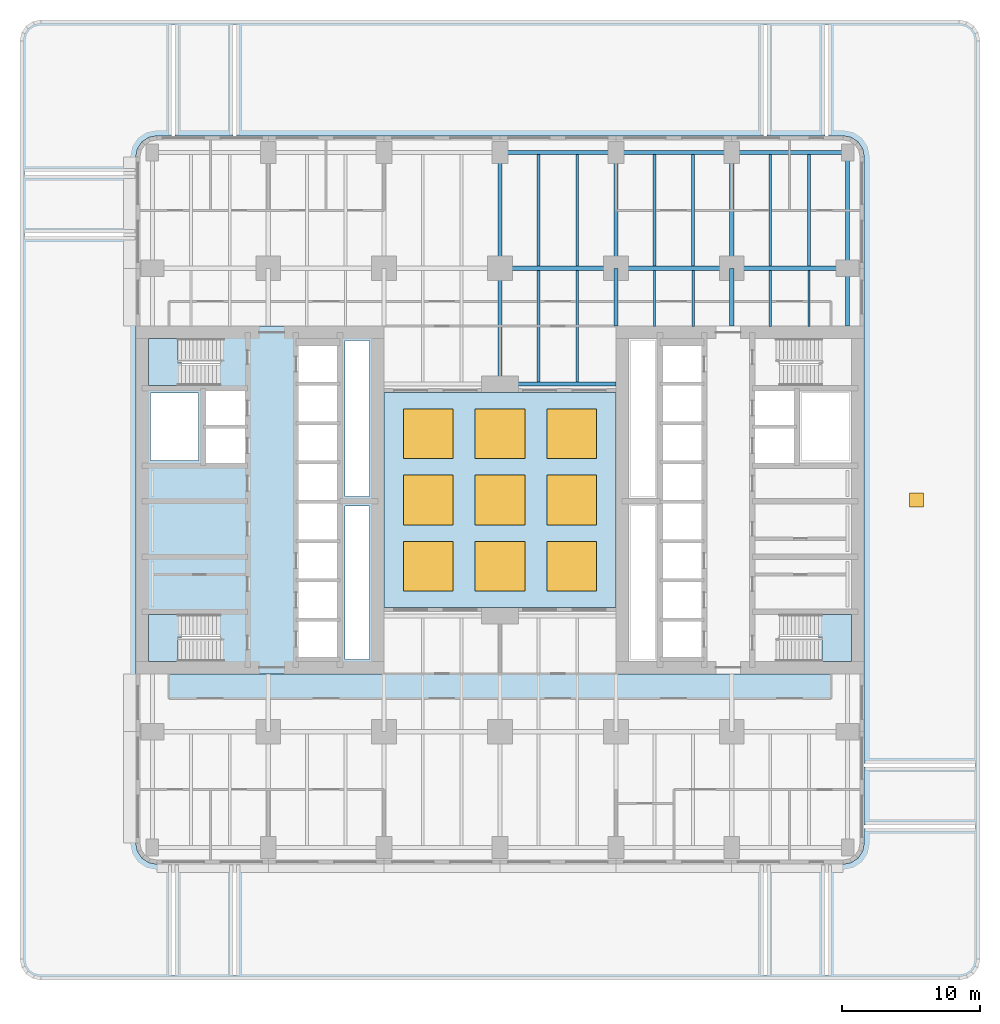
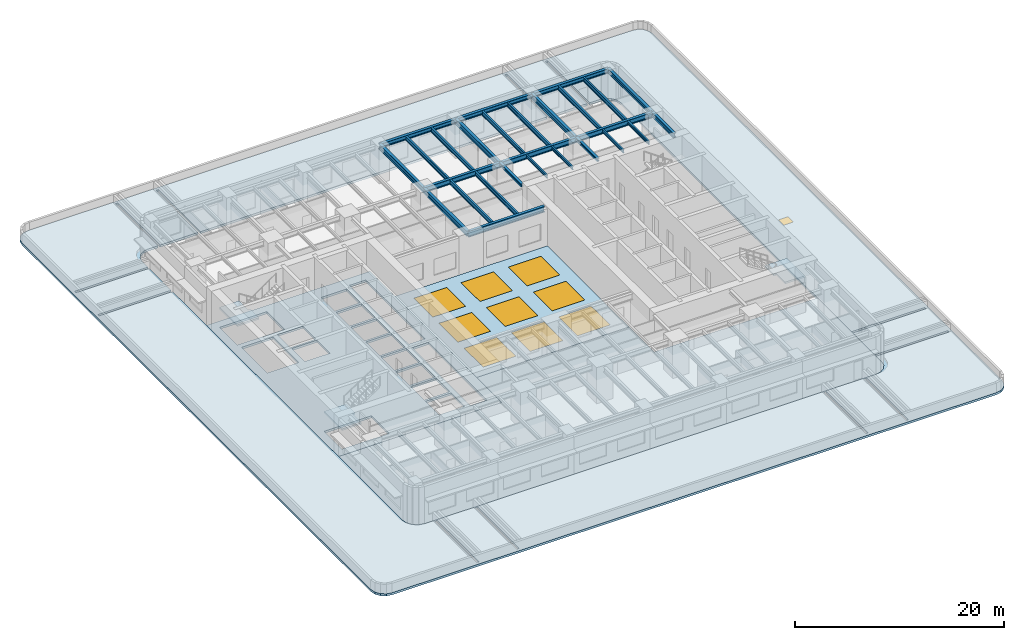
"""IFC4 building model written with IfcOpenShell, lengths in metres."""

from ifc_helpers import new_model, si_unit, direction, frame, origin, origin_2d, place, context, subcontext, project, spatial, polyline, rectangle, i_section, outline, extrude, material, layer, layer_set, material_profile, profile_set, type_object, element, fill, aggregate, save


model = new_model("IFC4")

# Units and contexts
model_context = context("Model", 3, precision=1e-05, world=origin(), true_north=direction((0.0, 1.0)))
body_context = subcontext(model_context, "Body", "Model", "MODEL_VIEW")
ifc_project = project(units=[si_unit("LENGTHUNIT", "METRE"), si_unit("AREAUNIT", "SQUARE_METRE"), si_unit("VOLUMEUNIT", "CUBIC_METRE"), si_unit("PLANEANGLEUNIT", "RADIAN"), si_unit("MASSUNIT", "GRAM", prefix="KILO")], contexts=[model_context])

# Site, building, storey
site_placement = place(None, origin())
site = spatial("IfcSite", under=ifc_project, at=site_placement, CompositionType="ELEMENT")
building_placement = place(site_placement, origin())
building = spatial("IfcBuilding", under=site, at=building_placement, Name="Claustro Exchange Tower", CompositionType="ELEMENT")
storey_1_placement = place(building_placement, frame((0.0, 0.0, 18.89990234375)))
storey_1 = spatial("IfcBuildingStorey", under=building, at=storey_1_placement, Name="L04", CompositionType="ELEMENT", Elevation=18.89990234375)

# Beams
ifc_material_1 = material(Name="Steel S355", Category="steel")
ifc_material_profile_1 = material_profile(ifc_material_1, i_section(OverallWidth=0.300048828125, OverallDepth=0.60009765625, WebThickness=0.015380859375, FlangeThickness=0.030029296875, FilletRadius=0.027099609375, at=origin_2d()), Name="HE 600 B")
ifc_profile_set_1 = profile_set([ifc_material_profile_1], Name="Steel S355")
beam_type_1 = type_object("IfcBeamType", Name="B1 HE 600 B floor girder", PredefinedType="BEAM", material=ifc_profile_set_1)
for number, where, z_axis, x_axis, name in (
    (1, (25.199951171875, 33.60009765625, 4.0400390625), (0.0, 1.0, 0.0), (-1.0, 0.0, 0.0), "Beam B1 L05"),
    (2, (25.199951171875, 42.0, 4.0400390625), (0.0, 1.0, 0.0), (-1.0, 0.0, 0.0), "Beam B1 L05"),
    (3, (33.60009765625, 42.0, 4.0400390625), (0.0, 1.0, 0.0), (-1.0, 0.0, 0.0), "Beam B1 L05"),
    (4, (42.0, 42.0, 4.0400390625), (0.0, 1.0, 0.0), (-1.0, 0.0, 0.0), "Beam B1 L05"),
):
    element("IfcBeam", number, at=place(storey_1_placement, frame(where, z_axis=z_axis, x_axis=x_axis)), inside=storey_1, type_object=beam_type_1, Name=name, PredefinedType="BEAM", context=body_context, shape_type="SweptSolid", body=[
        extrude(i_section(OverallWidth=0.300048828125, OverallDepth=0.60009765625, WebThickness=0.015380859375, FlangeThickness=0.030029296875, FilletRadius=0.027099609375, at=origin_2d()), origin(), (0.0, 0.0, 1.0), 8.39990234375),
    ])
beam_1_placement = place(storey_1_placement, frame((25.199951171875, 42.0, 4.0400390625), z_axis=(1.0, 0.0, 0.0), x_axis=(0.0, 1.0, 0.0)))
element("IfcBeam", 5, at=beam_1_placement, inside=storey_1, type_object=beam_type_1, Name="Beam B1 L05", PredefinedType="BEAM", context=body_context, shape_type="SweptSolid", body=[
    extrude(i_section(OverallWidth=0.300048828125, OverallDepth=0.60009765625, WebThickness=0.015380859375, FlangeThickness=0.030029296875, FilletRadius=0.027099609375, at=origin_2d()), origin(), (0.0, 0.0, 1.0), 8.400146484375),
])
for number, where, z_axis, x_axis, name in (
    (6, (33.60009765625, 42.0, 4.0400390625), (1.0, 0.0, 0.0), (0.0, 1.0, 0.0), "Beam B1 L05"),
    (7, (42.0, 42.0, 4.0400390625), (1.0, 0.0, 0.0), (0.0, 1.0, 0.0), "Beam B1 L05"),
):
    element("IfcBeam", number, at=place(storey_1_placement, frame(where, z_axis=z_axis, x_axis=x_axis)), inside=storey_1, type_object=beam_type_1, Name=name, PredefinedType="BEAM", context=body_context, shape_type="SweptSolid", body=[
        extrude(i_section(OverallWidth=0.300048828125, OverallDepth=0.60009765625, WebThickness=0.015380859375, FlangeThickness=0.030029296875, FilletRadius=0.027099609375, at=origin_2d()), origin(), (0.0, 0.0, 1.0), 8.39990234375),
    ])
ifc_material_2 = material(Name="Steel S355", Category="steel")
ifc_material_profile_2 = material_profile(ifc_material_2, i_section(OverallWidth=0.300048828125, OverallDepth=0.68994140625, WebThickness=0.014404296875, FlangeThickness=0.027099609375, FilletRadius=0.027099609375, at=origin_2d()), Name="HE 700 A")
ifc_profile_set_2 = profile_set([ifc_material_profile_2], Name="Steel S355")
beam_type_2 = type_object("IfcBeamType", Name="B13 HE 700 A light well edge girder", PredefinedType="BEAM", material=ifc_profile_set_2)
beam_2_placement = place(storey_1_placement, frame((25.199951171875, 33.60009765625, 3.9951171875), z_axis=(1.0, 0.0, 0.0), x_axis=(0.0, 1.0, 0.0)))
element("IfcBeam", 8, at=beam_2_placement, inside=storey_1, type_object=beam_type_2, Name="Beam B13 L05", PredefinedType="BEAM", context=body_context, shape_type="SweptSolid", body=[
    extrude(i_section(OverallWidth=0.300048828125, OverallDepth=0.68994140625, WebThickness=0.014404296875, FlangeThickness=0.027099609375, FilletRadius=0.027099609375, at=origin_2d()), origin(), (0.0, 0.0, 1.0), 8.400146484375),
])
ifc_material_3 = material(Name="Steel S355", Category="steel")
ifc_material_profile_3 = material_profile(ifc_material_3, i_section(OverallWidth=0.169921875, OverallDepth=0.360107421875, WebThickness=0.008056640625, FlangeThickness=0.0126953125, FilletRadius=0.01806640625, at=origin_2d()), Name="IPE 360")
ifc_profile_set_3 = profile_set([ifc_material_profile_3], Name="Steel S355")
beam_type_3 = type_object("IfcBeamType", Name="B16 IPE 360 short-span beam", PredefinedType="BEAM", material=ifc_profile_set_3)
for number, where, z_axis, x_axis, name in (
    (9, (36.39990234375, 37.7900390625, 4.16015625), (0.0, 1.0, 0.0), (-1.0, 0.0, 0.0), "Beam B16 L05"),
    (10, (39.199951171875, 37.7900390625, 4.16015625), (0.0, 1.0, 0.0), (-1.0, 0.0, 0.0), "Beam B16 L05"),
    (11, (44.800048828125, 37.7900390625, 4.16015625), (0.0, 1.0, 0.0), (-1.0, 0.0, 0.0), "Beam B16 L05"),
    (12, (47.60009765625, 37.7900390625, 4.16015625), (0.0, 1.0, 0.0), (-1.0, 0.0, 0.0), "Beam B16 L05"),
):
    element("IfcBeam", number, at=place(storey_1_placement, frame(where, z_axis=z_axis, x_axis=x_axis)), inside=storey_1, type_object=beam_type_3, Name=name, PredefinedType="BEAM", context=body_context, shape_type="SweptSolid", body=[
        extrude(i_section(OverallWidth=0.169921875, OverallDepth=0.360107421875, WebThickness=0.008056640625, FlangeThickness=0.0126953125, FilletRadius=0.01806640625, at=origin_2d()), origin(), (0.0, 0.0, 1.0), 4.06005859375),
    ])
ifc_material_4 = material(Name="Steel S355", Category="steel")
ifc_material_profile_4 = material_profile(ifc_material_4, i_section(OverallWidth=0.199951171875, OverallDepth=0.5, WebThickness=0.01025390625, FlangeThickness=0.01611328125, FilletRadius=0.02099609375, at=origin_2d()), Name="IPE 500")
ifc_profile_set_4 = profile_set([ifc_material_profile_4], Name="Steel S355")
beam_type_4 = type_object("IfcBeamType", Name="B2 IPE 500 secondary beam", PredefinedType="BEAM", material=ifc_profile_set_4)
for number, where, z_axis, x_axis, name in (
    (13, (28.0, 33.75, 4.090087890625), (0.0, 1.0, 0.0), (-1.0, 0.0, 0.0), "Beam B2 L05"),
    (14, (30.800048828125, 33.75, 4.090087890625), (0.0, 1.0, 0.0), (-1.0, 0.0, 0.0), "Beam B2 L05"),
    (15, (28.0, 42.14990234375, 4.090087890625), (0.0, 1.0, 0.0), (-1.0, 0.0, 0.0), "Beam B2 L05"),
    (16, (30.800048828125, 42.14990234375, 4.090087890625), (0.0, 1.0, 0.0), (-1.0, 0.0, 0.0), "Beam B2 L05"),
    (17, (36.39990234375, 42.14990234375, 4.090087890625), (0.0, 1.0, 0.0), (-1.0, 0.0, 0.0), "Beam B2 L05"),
    (18, (39.199951171875, 42.14990234375, 4.090087890625), (0.0, 1.0, 0.0), (-1.0, 0.0, 0.0), "Beam B2 L05"),
    (19, (44.800048828125, 42.14990234375, 4.090087890625), (0.0, 1.0, 0.0), (-1.0, 0.0, 0.0), "Beam B2 L05"),
    (20, (47.60009765625, 42.14990234375, 4.090087890625), (0.0, 1.0, 0.0), (-1.0, 0.0, 0.0), "Beam B2 L05"),
):
    element("IfcBeam", number, at=place(storey_1_placement, frame(where, z_axis=z_axis, x_axis=x_axis)), inside=storey_1, type_object=beam_type_4, Name=name, PredefinedType="BEAM", context=body_context, shape_type="SweptSolid", body=[
        extrude(i_section(OverallWidth=0.199951171875, OverallDepth=0.5, WebThickness=0.01025390625, FlangeThickness=0.01611328125, FilletRadius=0.02099609375, at=origin_2d()), origin(), (0.0, 0.0, 1.0), 8.10009765625),
    ])
ifc_material_5 = material(Name="Steel S355", Category="steel")
ifc_material_profile_5 = material_profile(ifc_material_5, i_section(OverallWidth=0.300048828125, OverallDepth=0.360107421875, WebThickness=0.012451171875, FlangeThickness=0.0224609375, FilletRadius=0.027099609375, at=origin_2d()), Name="HE 360 B")
ifc_profile_set_5 = profile_set([ifc_material_profile_5], Name="Steel S355")
beam_type_5 = type_object("IfcBeamType", Name="B29 HE 360 B column to core link beam", PredefinedType="BEAM", material=ifc_profile_set_5)
for number, where, z_axis, x_axis, name in (
    (21, (33.60009765625, 37.800048828125, 4.16015625), (0.0, 1.0, 0.0), (-1.0, 0.0, 0.0), "Beam B29 L05"),
    (22, (42.0, 37.800048828125, 4.16015625), (0.0, 1.0, 0.0), (-1.0, 0.0, 0.0), "Beam B29 L05"),
):
    element("IfcBeam", number, at=place(storey_1_placement, frame(where, z_axis=z_axis, x_axis=x_axis)), inside=storey_1, type_object=beam_type_5, Name=name, PredefinedType="BEAM", context=body_context, shape_type="SweptSolid", body=[
        extrude(i_section(OverallWidth=0.300048828125, OverallDepth=0.360107421875, WebThickness=0.012451171875, FlangeThickness=0.0224609375, FilletRadius=0.027099609375, at=origin_2d()), origin(), (0.0, 0.0, 1.0), 4.199951171875),
    ])
ifc_material_6 = material(Name="Steel S355", Category="steel")
ifc_material_profile_6 = material_profile(ifc_material_6, i_section(OverallWidth=0.300048828125, OverallDepth=0.5, WebThickness=0.014404296875, FlangeThickness=0.028076171875, FilletRadius=0.027099609375, at=origin_2d()), Name="HE 500 B")
ifc_profile_set_6 = profile_set([ifc_material_profile_6], Name="Steel S355")
beam_type_6 = type_object("IfcBeamType", Name="B3 HE 500 B spandrel edge girder", PredefinedType="SPANDREL", material=ifc_profile_set_6)
beam_3_placement = place(storey_1_placement, frame((50.39990234375, 37.800048828125, 4.090087890625), z_axis=(0.0, 1.0, 0.0), x_axis=(-1.0, 0.0, 0.0)))
element("IfcBeam", 23, at=beam_3_placement, inside=storey_1, type_object=beam_type_6, Name="Beam B3 L05", PredefinedType="SPANDREL", context=body_context, shape_type="SweptSolid", body=[
    extrude(i_section(OverallWidth=0.300048828125, OverallDepth=0.5, WebThickness=0.014404296875, FlangeThickness=0.028076171875, FilletRadius=0.027099609375, at=origin_2d()), origin(), (0.0, 0.0, 1.0), 4.199951171875),
])
beam_4_placement = place(storey_1_placement, frame((50.39990234375, 42.0, 4.090087890625), z_axis=(0.0, 1.0, 0.0), x_axis=(-1.0, 0.0, 0.0)))
element("IfcBeam", 24, at=beam_4_placement, inside=storey_1, type_object=beam_type_6, Name="Beam B3 L05", PredefinedType="SPANDREL", context=body_context, shape_type="SweptSolid", body=[
    extrude(i_section(OverallWidth=0.300048828125, OverallDepth=0.5, WebThickness=0.014404296875, FlangeThickness=0.028076171875, FilletRadius=0.027099609375, at=origin_2d()), origin(), (0.0, 0.0, 1.0), 8.39990234375),
])
beam_5_placement = place(storey_1_placement, frame((25.199951171875, 50.39990234375, 4.090087890625), z_axis=(1.0, 0.0, 0.0), x_axis=(0.0, 1.0, 0.0)))
element("IfcBeam", 25, at=beam_5_placement, inside=storey_1, type_object=beam_type_6, Name="Beam B3 L05", PredefinedType="SPANDREL", context=body_context, shape_type="SweptSolid", body=[
    extrude(i_section(OverallWidth=0.300048828125, OverallDepth=0.5, WebThickness=0.014404296875, FlangeThickness=0.028076171875, FilletRadius=0.027099609375, at=origin_2d()), origin(), (0.0, 0.0, 1.0), 8.400146484375),
])
for number, where, z_axis, x_axis, name in (
    (26, (33.60009765625, 50.39990234375, 4.090087890625), (1.0, 0.0, 0.0), (0.0, 1.0, 0.0), "Beam B3 L05"),
    (27, (42.0, 50.39990234375, 4.090087890625), (1.0, 0.0, 0.0), (0.0, 1.0, 0.0), "Beam B3 L05"),
):
    element("IfcBeam", number, at=place(storey_1_placement, frame(where, z_axis=z_axis, x_axis=x_axis)), inside=storey_1, type_object=beam_type_6, Name=name, PredefinedType="SPANDREL", context=body_context, shape_type="SweptSolid", body=[
        extrude(i_section(OverallWidth=0.300048828125, OverallDepth=0.5, WebThickness=0.014404296875, FlangeThickness=0.028076171875, FilletRadius=0.027099609375, at=origin_2d()), origin(), (0.0, 0.0, 1.0), 8.39990234375),
    ])

# Slab
ifc_material_7 = material(Name="Concrete HA-50 (C50/60)", Category="concrete")
ifc_layer_1 = layer(ifc_material_7, 0.159912109375)
ifc_layer_set_1 = layer_set([ifc_layer_1], Name="Concrete HA-50 (C50/60)")
slab_type_1 = type_object("IfcSlabType", Name="S1 160 composite floor slab", PredefinedType="FLOOR", material=ifc_layer_set_1)
slab_1_placement = place(storey_1_placement, frame((0.0, 0.0, -0.159912109375)))
element("IfcSlab", 28, at=slab_1_placement, inside=storey_1, type_object=slab_type_1, Name="Floor slab S1 S L04", PredefinedType="FLOOR", context=body_context, shape_type="SweptSolid", body=[
    extrude(outline(polyline([(-0.27392578125, -1.085693359375), (0.300048828125, -1.199951171875), (50.10009765625, -1.199951171875), (50.674072265625, -1.085693359375), (51.16064453125, -0.7607421875), (51.48583984375, -0.27392578125), (51.60009765625, 0.300048828125), (51.60009765625, 12.60009765625), (33.60009765625, 12.60009765625), (33.60009765625, 17.39990234375), (16.800048828125, 17.39990234375), (16.800048828125, 12.60009765625), (-1.199951171875, 12.60009765625), (-1.199951171875, 0.300048828125), (-1.085693359375, -0.27392578125), (-0.7607421875, -0.7607421875), (-0.27392578125, -1.085693359375)])), origin(), (0.0, 0.0, 1.0), 0.159912109375),
])

# Slab, opening
ifc_material_8 = material(Name="Concrete HA-50 (C50/60)", Category="concrete")
ifc_layer_2 = layer(ifc_material_8, 0.25)
ifc_layer_set_2 = layer_set([ifc_layer_2], Name="Concrete HA-50 (C50/60)")
slab_type_2 = type_object("IfcSlabType", Name="S5 250 roof slab", PredefinedType="ROOF", material=ifc_layer_set_2)
slab_2_placement = place(storey_1_placement, frame((0.0, 0.0, -0.25)))
slab_2 = element("IfcSlab", 29, at=slab_2_placement, inside=storey_1, type_object=slab_type_2, Name="Roof slab S5 W over L03", PredefinedType="ROOF", context=body_context, shape_type="SweptSolid", body=[
    extrude(outline(polyline([(-8.674072265625, -9.48583984375), (-8.10009765625, -9.60009765625), (58.5, -9.60009765625), (59.073974609375, -9.48583984375), (59.560791015625, -9.16064453125), (59.8857421875, -8.674072265625), (60.0, -8.10009765625), (60.0, 58.5), (59.8857421875, 59.073974609375), (59.560791015625, 59.560791015625), (59.073974609375, 59.8857421875), (58.5, 60.0), (-8.10009765625, 60.0), (-8.674072265625, 59.8857421875), (-9.16064453125, 59.560791015625), (-9.48583984375, 59.073974609375), (-9.60009765625, 58.5), (-9.60009765625, -8.10009765625), (-9.48583984375, -8.674072265625), (-9.16064453125, -9.16064453125), (-8.674072265625, -9.48583984375)]), holes=[polyline([(51.16064453125, -0.7607421875), (50.674072265625, -1.085693359375), (50.10009765625, -1.199951171875), (49.0, -1.199951171875), (49.0, -9.280029296875), (48.75, -9.280029296875), (48.75, -1.199951171875), (44.550048828125, -1.199951171875), (44.550048828125, -9.280029296875), (44.300048828125, -9.280029296875), (44.300048828125, -1.199951171875), (6.10009765625, -1.199951171875), (6.10009765625, -9.280029296875), (5.85009765625, -9.280029296875), (5.85009765625, -1.199951171875), (1.64990234375, -1.199951171875), (1.64990234375, -9.280029296875), (1.39990234375, -9.280029296875), (1.39990234375, -1.199951171875), (0.300048828125, -1.199951171875), (-0.27392578125, -1.085693359375), (-0.7607421875, -0.7607421875), (-1.085693359375, -0.27392578125), (-1.199951171875, 0.300048828125), (-1.199951171875, 12.60009765625), (-1.199951171875, 37.800048828125), (-1.199951171875, 44.300048828125), (-9.280029296875, 44.300048828125), (-9.280029296875, 44.550048828125), (-1.199951171875, 44.550048828125), (-1.199951171875, 48.75), (-9.280029296875, 48.75), (-9.280029296875, 49.0), (-1.199951171875, 49.0), (-1.199951171875, 50.10009765625), (-1.085693359375, 50.674072265625), (-0.7607421875, 51.16064453125), (-0.27392578125, 51.48583984375), (0.300048828125, 51.60009765625), (1.39990234375, 51.60009765625), (1.39990234375, 59.679931640625), (1.64990234375, 59.679931640625), (1.64990234375, 51.60009765625), (5.85009765625, 51.60009765625), (5.85009765625, 59.679931640625), (6.10009765625, 59.679931640625), (6.10009765625, 51.60009765625), (44.300048828125, 51.60009765625), (44.300048828125, 59.679931640625), (44.550048828125, 59.679931640625), (44.550048828125, 51.60009765625), (48.75, 51.60009765625), (48.75, 59.679931640625), (49.0, 59.679931640625), (49.0, 51.60009765625), (50.10009765625, 51.60009765625), (50.674072265625, 51.48583984375), (51.16064453125, 51.16064453125), (51.48583984375, 50.674072265625), (51.60009765625, 50.10009765625), (51.60009765625, 37.800048828125), (51.60009765625, 12.60009765625), (51.60009765625, 6.10009765625), (59.679931640625, 6.10009765625), (59.679931640625, 5.85009765625), (51.60009765625, 5.85009765625), (51.60009765625, 1.64990234375), (59.679931640625, 1.64990234375), (59.679931640625, 1.39990234375), (51.60009765625, 1.39990234375), (51.60009765625, 0.300048828125), (51.48583984375, -0.27392578125), (51.16064453125, -0.7607421875)])]), origin(), (0.0, 0.0, 1.0), 0.25),
])
opening_1_placement = place(slab_2_placement, frame((55.39990234375, 25.199951171875, 0.0)))
opening_1 = element("IfcOpeningElement", 30, at=opening_1_placement, cuts=slab_2, Name="Opening RH1", PredefinedType="OPENING", context=body_context, shape_type="SweptSolid", body=[
    extrude(rectangle(XDim=1.0, YDim=1.0, at=origin_2d()), origin(), (0.0, 0.0, 1.0), 0.25),
])

# Storey
storey_2_placement = place(building_placement, frame((0.0, 0.0, 14.39990234375)))
storey_2 = spatial("IfcBuildingStorey", under=building, at=storey_2_placement, Name="L03", CompositionType="ELEMENT", Elevation=14.39990234375)

# Door
ifc_material_9 = material(Name="Galvanised steel hatch", Category="steel")
door_type = type_object("IfcDoorType", Name="RH1 1000 x 1000 roof access hatch", OperationType="SINGLE_SWING_LEFT", PredefinedType="TRAPDOOR", material=ifc_material_9)
door_placement = place(opening_1_placement, frame((0.0, 0.0, 0.199951171875)))
door = element("IfcDoor", 31, at=door_placement, inside=storey_2, type_object=door_type, Name="Roof access hatch RH1 over L03", OperationType="SINGLE_SWING_LEFT", OverallHeight=1.0, OverallWidth=1.0, PredefinedType="TRAPDOOR", context=body_context, shape_type="SweptSolid", body=[
    extrude(rectangle(XDim=1.0, YDim=1.0, at=origin_2d()), origin(), (0.0, 0.0, 1.0), 0.050048828125),
])

fill(opening_1, door)

# Slab, openings, windows
slab_3_placement = place(storey_1_placement, frame((0.0, 0.0, -0.25)))
slab_3 = element("IfcSlab", 32, at=slab_3_placement, inside=storey_1, type_object=slab_type_2, Name="Atrium roof slab S5 over the exchange hall", PredefinedType="ROOF", context=body_context, shape_type="SweptSolid", body=[
    extrude(outline(polyline([(33.60009765625, 17.39990234375), (33.60009765625, 33.0), (16.800048828125, 33.0), (16.800048828125, 17.39990234375), (33.60009765625, 17.39990234375)])), origin(), (0.0, 0.0, 1.0), 0.25),
])
opening_2_placement = place(slab_3_placement, frame((20.0, 20.39990234375, 0.0)))
opening_2 = element("IfcOpeningElement", 33, at=opening_2_placement, cuts=slab_3, Name="Opening SK1", PredefinedType="OPENING", context=body_context, shape_type="SweptSolid", body=[
    extrude(rectangle(XDim=3.60009765625, YDim=3.60009765625, at=origin_2d()), origin(), (0.0, 0.0, 1.0), 0.25),
])
opening_3_placement = place(slab_3_placement, frame((20.0, 25.199951171875, 0.0)))
opening_3 = element("IfcOpeningElement", 34, at=opening_3_placement, cuts=slab_3, Name="Opening SK1", PredefinedType="OPENING", context=body_context, shape_type="SweptSolid", body=[
    extrude(rectangle(XDim=3.60009765625, YDim=3.60009765625, at=origin_2d()), origin(), (0.0, 0.0, 1.0), 0.25),
])
opening_4_placement = place(slab_3_placement, frame((20.0, 30.0, 0.0)))
opening_4 = element("IfcOpeningElement", 35, at=opening_4_placement, cuts=slab_3, Name="Opening SK1", PredefinedType="OPENING", context=body_context, shape_type="SweptSolid", body=[
    extrude(rectangle(XDim=3.60009765625, YDim=3.60009765625, at=origin_2d()), origin(), (0.0, 0.0, 1.0), 0.25),
])
opening_5_placement = place(slab_3_placement, frame((25.199951171875, 20.39990234375, 0.0)))
opening_5 = element("IfcOpeningElement", 36, at=opening_5_placement, cuts=slab_3, Name="Opening SK1", PredefinedType="OPENING", context=body_context, shape_type="SweptSolid", body=[
    extrude(rectangle(XDim=3.60009765625, YDim=3.60009765625, at=origin_2d()), origin(), (0.0, 0.0, 1.0), 0.25),
])
opening_6_placement = place(slab_3_placement, frame((25.199951171875, 25.199951171875, 0.0)))
opening_6 = element("IfcOpeningElement", 37, at=opening_6_placement, cuts=slab_3, Name="Opening SK1", PredefinedType="OPENING", context=body_context, shape_type="SweptSolid", body=[
    extrude(rectangle(XDim=3.60009765625, YDim=3.60009765625, at=origin_2d()), origin(), (0.0, 0.0, 1.0), 0.25),
])
opening_7_placement = place(slab_3_placement, frame((25.199951171875, 30.0, 0.0)))
opening_7 = element("IfcOpeningElement", 38, at=opening_7_placement, cuts=slab_3, Name="Opening SK1", PredefinedType="OPENING", context=body_context, shape_type="SweptSolid", body=[
    extrude(rectangle(XDim=3.60009765625, YDim=3.60009765625, at=origin_2d()), origin(), (0.0, 0.0, 1.0), 0.25),
])
opening_8_placement = place(slab_3_placement, frame((30.39990234375, 20.39990234375, 0.0)))
opening_8 = element("IfcOpeningElement", 39, at=opening_8_placement, cuts=slab_3, Name="Opening SK1", PredefinedType="OPENING", context=body_context, shape_type="SweptSolid", body=[
    extrude(rectangle(XDim=3.60009765625, YDim=3.60009765625, at=origin_2d()), origin(), (0.0, 0.0, 1.0), 0.25),
])
opening_9_placement = place(slab_3_placement, frame((30.39990234375, 25.199951171875, 0.0)))
opening_9 = element("IfcOpeningElement", 40, at=opening_9_placement, cuts=slab_3, Name="Opening SK1", PredefinedType="OPENING", context=body_context, shape_type="SweptSolid", body=[
    extrude(rectangle(XDim=3.60009765625, YDim=3.60009765625, at=origin_2d()), origin(), (0.0, 0.0, 1.0), 0.25),
])
opening_10_placement = place(slab_3_placement, frame((30.39990234375, 30.0, 0.0)))
opening_10 = element("IfcOpeningElement", 41, at=opening_10_placement, cuts=slab_3, Name="Opening SK1", PredefinedType="OPENING", context=body_context, shape_type="SweptSolid", body=[
    extrude(rectangle(XDim=3.60009765625, YDim=3.60009765625, at=origin_2d()), origin(), (0.0, 0.0, 1.0), 0.25),
])
ifc_material_10 = material(Name="Aluminium frame, clear double glazing", Category="aluminium")
window_type = type_object("IfcWindowType", Name="SK1 3600 x 3600 atrium SKYLIGHT", PartitioningType="SINGLE_PANEL", PredefinedType="SKYLIGHT", material=ifc_material_10)
window_1_placement = place(opening_2_placement, frame((0.0, 0.0, 0.199951171875)))
window_1 = element("IfcWindow", 42, at=window_1_placement, inside=storey_2, type_object=window_type, Name="Atrium SKYLIGHT SK1 1", OverallHeight=3.60009765625, OverallWidth=3.60009765625, PartitioningType="SINGLE_PANEL", PredefinedType="SKYLIGHT", context=body_context, shape_type="SweptSolid", body=[
    extrude(rectangle(XDim=3.60009765625, YDim=3.60009765625, at=origin_2d()), origin(), (0.0, 0.0, 1.0), 0.050048828125),
])
fill(opening_2, window_1)
window_2_placement = place(opening_3_placement, frame((0.0, 0.0, 0.199951171875)))
window_2 = element("IfcWindow", 43, at=window_2_placement, inside=storey_2, type_object=window_type, Name="Atrium SKYLIGHT SK1 2", OverallHeight=3.60009765625, OverallWidth=3.60009765625, PartitioningType="SINGLE_PANEL", PredefinedType="SKYLIGHT", context=body_context, shape_type="SweptSolid", body=[
    extrude(rectangle(XDim=3.60009765625, YDim=3.60009765625, at=origin_2d()), origin(), (0.0, 0.0, 1.0), 0.050048828125),
])
fill(opening_3, window_2)
window_3_placement = place(opening_4_placement, frame((0.0, 0.0, 0.199951171875)))
window_3 = element("IfcWindow", 44, at=window_3_placement, inside=storey_2, type_object=window_type, Name="Atrium SKYLIGHT SK1 3", OverallHeight=3.60009765625, OverallWidth=3.60009765625, PartitioningType="SINGLE_PANEL", PredefinedType="SKYLIGHT", context=body_context, shape_type="SweptSolid", body=[
    extrude(rectangle(XDim=3.60009765625, YDim=3.60009765625, at=origin_2d()), origin(), (0.0, 0.0, 1.0), 0.050048828125),
])
fill(opening_4, window_3)
window_4_placement = place(opening_5_placement, frame((0.0, 0.0, 0.199951171875)))
window_4 = element("IfcWindow", 45, at=window_4_placement, inside=storey_2, type_object=window_type, Name="Atrium SKYLIGHT SK1 4", OverallHeight=3.60009765625, OverallWidth=3.60009765625, PartitioningType="SINGLE_PANEL", PredefinedType="SKYLIGHT", context=body_context, shape_type="SweptSolid", body=[
    extrude(rectangle(XDim=3.60009765625, YDim=3.60009765625, at=origin_2d()), origin(), (0.0, 0.0, 1.0), 0.050048828125),
])
fill(opening_5, window_4)
window_5_placement = place(opening_6_placement, frame((0.0, 0.0, 0.199951171875)))
window_5 = element("IfcWindow", 46, at=window_5_placement, inside=storey_2, type_object=window_type, Name="Atrium SKYLIGHT SK1 5", OverallHeight=3.60009765625, OverallWidth=3.60009765625, PartitioningType="SINGLE_PANEL", PredefinedType="SKYLIGHT", context=body_context, shape_type="SweptSolid", body=[
    extrude(rectangle(XDim=3.60009765625, YDim=3.60009765625, at=origin_2d()), origin(), (0.0, 0.0, 1.0), 0.050048828125),
])
fill(opening_6, window_5)
window_6_placement = place(opening_7_placement, frame((0.0, 0.0, 0.199951171875)))
window_6 = element("IfcWindow", 47, at=window_6_placement, inside=storey_2, type_object=window_type, Name="Atrium SKYLIGHT SK1 6", OverallHeight=3.60009765625, OverallWidth=3.60009765625, PartitioningType="SINGLE_PANEL", PredefinedType="SKYLIGHT", context=body_context, shape_type="SweptSolid", body=[
    extrude(rectangle(XDim=3.60009765625, YDim=3.60009765625, at=origin_2d()), origin(), (0.0, 0.0, 1.0), 0.050048828125),
])
fill(opening_7, window_6)
window_7_placement = place(opening_8_placement, frame((0.0, 0.0, 0.199951171875)))
window_7 = element("IfcWindow", 48, at=window_7_placement, inside=storey_2, type_object=window_type, Name="Atrium SKYLIGHT SK1 7", OverallHeight=3.60009765625, OverallWidth=3.60009765625, PartitioningType="SINGLE_PANEL", PredefinedType="SKYLIGHT", context=body_context, shape_type="SweptSolid", body=[
    extrude(rectangle(XDim=3.60009765625, YDim=3.60009765625, at=origin_2d()), origin(), (0.0, 0.0, 1.0), 0.050048828125),
])
fill(opening_8, window_7)
window_8_placement = place(opening_9_placement, frame((0.0, 0.0, 0.199951171875)))
window_8 = element("IfcWindow", 49, at=window_8_placement, inside=storey_2, type_object=window_type, Name="Atrium SKYLIGHT SK1 8", OverallHeight=3.60009765625, OverallWidth=3.60009765625, PartitioningType="SINGLE_PANEL", PredefinedType="SKYLIGHT", context=body_context, shape_type="SweptSolid", body=[
    extrude(rectangle(XDim=3.60009765625, YDim=3.60009765625, at=origin_2d()), origin(), (0.0, 0.0, 1.0), 0.050048828125),
])
fill(opening_9, window_8)
window_9_placement = place(opening_10_placement, frame((0.0, 0.0, 0.199951171875)))
window_9 = element("IfcWindow", 50, at=window_9_placement, inside=storey_2, type_object=window_type, Name="Atrium SKYLIGHT SK1 9", OverallHeight=3.60009765625, OverallWidth=3.60009765625, PartitioningType="SINGLE_PANEL", PredefinedType="SKYLIGHT", context=body_context, shape_type="SweptSolid", body=[
    extrude(rectangle(XDim=3.60009765625, YDim=3.60009765625, at=origin_2d()), origin(), (0.0, 0.0, 1.0), 0.050048828125),
])
fill(opening_10, window_9)

# Slab
ifc_material_11 = material(Name="Concrete HA-50 (C50/60)", Category="concrete")
ifc_layer_3 = layer(ifc_material_11, 0.25)
ifc_layer_set_3 = layer_set([ifc_layer_3], Name="Concrete HA-50 (C50/60)")
slab_type_3 = type_object("IfcSlabType", Name="S7 250 core floor slab", PredefinedType="FLOOR", material=ifc_layer_set_3)
slab_4_placement = place(storey_1_placement, frame((0.0, 0.0, -0.25)))
element("IfcSlab", 51, at=slab_4_placement, inside=storey_1, type_object=slab_type_3, Name="Core floor slab S7 W core L04", PredefinedType="FLOOR", context=body_context, shape_type="SweptSolid", body=[
    extrude(outline(polyline([(-1.199951171875, 12.60009765625), (16.800048828125, 12.60009765625), (16.800048828125, 37.800048828125), (-1.199951171875, 37.800048828125), (-1.199951171875, 12.60009765625)]), holes=[polyline([(15.75, 24.75), (15.75, 13.64990234375), (13.949951171875, 13.64990234375), (13.949951171875, 24.75), (15.75, 24.75)]), polyline([(15.75, 36.75), (15.75, 25.449951171875), (13.949951171875, 25.449951171875), (13.949951171875, 36.75), (15.75, 36.75)]), polyline([(10.60009765625, 16.39990234375), (13.39990234375, 16.39990234375), (13.39990234375, 13.800048828125), (10.60009765625, 13.800048828125), (10.60009765625, 16.39990234375)]), polyline([(13.39990234375, 19.25), (13.39990234375, 16.64990234375), (10.60009765625, 16.64990234375), (10.60009765625, 19.25), (13.39990234375, 19.25)]), polyline([(13.39990234375, 22.10009765625), (13.39990234375, 19.5), (10.60009765625, 19.5), (10.60009765625, 22.10009765625), (13.39990234375, 22.10009765625)]), polyline([(13.39990234375, 24.949951171875), (13.39990234375, 22.35009765625), (10.60009765625, 22.35009765625), (10.60009765625, 24.949951171875), (13.39990234375, 24.949951171875)]), polyline([(13.39990234375, 27.800048828125), (13.39990234375, 25.199951171875), (10.60009765625, 25.199951171875), (10.60009765625, 27.800048828125), (13.39990234375, 27.800048828125)]), polyline([(13.39990234375, 30.64990234375), (13.39990234375, 28.050048828125), (10.60009765625, 28.050048828125), (10.60009765625, 30.64990234375), (13.39990234375, 30.64990234375)]), polyline([(13.39990234375, 33.5), (13.39990234375, 30.89990234375), (10.60009765625, 30.89990234375), (10.60009765625, 33.5), (13.39990234375, 33.5)]), polyline([(13.39990234375, 36.35009765625), (13.39990234375, 33.75), (10.60009765625, 33.75), (10.60009765625, 36.35009765625), (13.39990234375, 36.35009765625)]), polyline([(6.699951171875, 30.375), (6.699951171875, 27.89990234375), (3.89990234375, 27.89990234375), (3.89990234375, 30.375), (6.699951171875, 30.375)]), polyline([(6.699951171875, 33.10009765625), (6.699951171875, 30.625), (3.89990234375, 30.625), (3.89990234375, 33.10009765625), (6.699951171875, 33.10009765625)]), polyline([(-0.300048828125, 15.199951171875), (-0.300048828125, 16.89990234375), (4.9150390625, 16.89990234375), (4.9150390625, 15.199951171875), (4.919921875, 15.199951171875), (4.919921875, 13.5), (-0.300048828125, 13.5), (-0.300048828125, 15.199951171875)]), polyline([(-0.300048828125, 36.89990234375), (4.919921875, 36.89990234375), (4.919921875, 35.199951171875), (4.9150390625, 35.199951171875), (4.9150390625, 33.5), (-0.300048828125, 33.5), (-0.300048828125, 35.199951171875), (-0.300048828125, 36.89990234375)]), polyline([(3.35009765625, 32.949951171875), (3.35009765625, 28.050048828125), (-0.14990234375, 28.050048828125), (-0.14990234375, 32.949951171875), (3.35009765625, 32.949951171875)])]), origin(), (0.0, 0.0, 1.0), 0.25),
])

# Stair, slab
ifc_material_12 = material(Name="Concrete HA-30 (C30/37), precast", Category="concrete")
stair_type = type_object("IfcStairType", Name="ST2 half-turn stair, 25 risers of 180", PredefinedType="HALF_TURN_STAIR", material=ifc_material_12)
stair_1_placement = place(storey_1_placement, origin())
stair_1 = element("IfcStair", 52, at=stair_1_placement, inside=storey_1, type_object=stair_type, Name="Stair STWA L04", PredefinedType="HALF_TURN_STAIR")
ifc_material_13 = material(Name="Concrete HA-30 (C30/37), precast", Category="concrete")
ifc_layer_4 = layer(ifc_material_13, 0.199951171875)
ifc_layer_set_4 = layer_set([ifc_layer_4], Name="Concrete HA-30 (C30/37), precast")
slab_type_4 = type_object("IfcSlabType", Name="S9 200 stair landing", PredefinedType="LANDING", material=ifc_layer_set_4)
slab_5_placement = place(storey_1_placement, frame((0.0, 0.0, 2.14013671875)))
slab_5 = element("IfcSlab", 53, at=slab_5_placement, type_object=slab_type_4, Name="STWA landing 1", PredefinedType="LANDING", context=body_context, shape_type="SweptSolid", body=[
    extrude(outline(polyline([(1.844970703125, 13.5), (-0.300048828125, 13.5), (-0.300048828125, 16.89990234375), (1.840087890625, 16.89990234375), (1.844970703125, 16.89990234375), (2.1201171875, 16.89990234375), (2.1201171875, 15.199951171875), (1.844970703125, 15.199951171875), (1.844970703125, 13.5)])), origin(), (0.0, 0.0, 1.0), 0.199951171875),
])
aggregate(stair_1, [slab_5])

stair_2_placement = place(storey_1_placement, origin())
stair_2 = element("IfcStair", 54, at=stair_2_placement, inside=storey_1, type_object=stair_type, Name="Stair STWB L04", PredefinedType="HALF_TURN_STAIR")
slab_6_placement = place(storey_1_placement, frame((0.0, 0.0, 2.14013671875)))
slab_6 = element("IfcSlab", 55, at=slab_6_placement, type_object=slab_type_4, Name="STWB landing 1", PredefinedType="LANDING", context=body_context, shape_type="SweptSolid", body=[
    extrude(outline(polyline([(2.1201171875, 35.199951171875), (2.1201171875, 33.5), (1.844970703125, 33.5), (1.840087890625, 33.5), (-0.300048828125, 33.5), (-0.300048828125, 36.89990234375), (1.844970703125, 36.89990234375), (1.844970703125, 35.199951171875), (2.1201171875, 35.199951171875)])), origin(), (0.0, 0.0, 1.0), 0.199951171875),
])
aggregate(stair_2, [slab_6])

stair_3_placement = place(storey_1_placement, origin())
stair_3 = element("IfcStair", 56, at=stair_3_placement, inside=storey_1, type_object=stair_type, Name="Stair STEA L04", PredefinedType="HALF_TURN_STAIR")
slab_7_placement = place(storey_1_placement, frame((0.0, 0.0, 2.14013671875)))
slab_7 = element("IfcSlab", 57, at=slab_7_placement, type_object=slab_type_4, Name="STEA landing 1", PredefinedType="LANDING", context=body_context, shape_type="SweptSolid", body=[
    extrude(outline(polyline([(50.699951171875, 16.89990234375), (50.699951171875, 13.5), (48.554931640625, 13.5), (48.554931640625, 15.199951171875), (48.280029296875, 15.199951171875), (48.280029296875, 16.89990234375), (48.554931640625, 16.89990234375), (48.56005859375, 16.89990234375), (50.699951171875, 16.89990234375)])), origin(), (0.0, 0.0, 1.0), 0.199951171875),
])
aggregate(stair_3, [slab_7])

save(model, "model.ifc")
